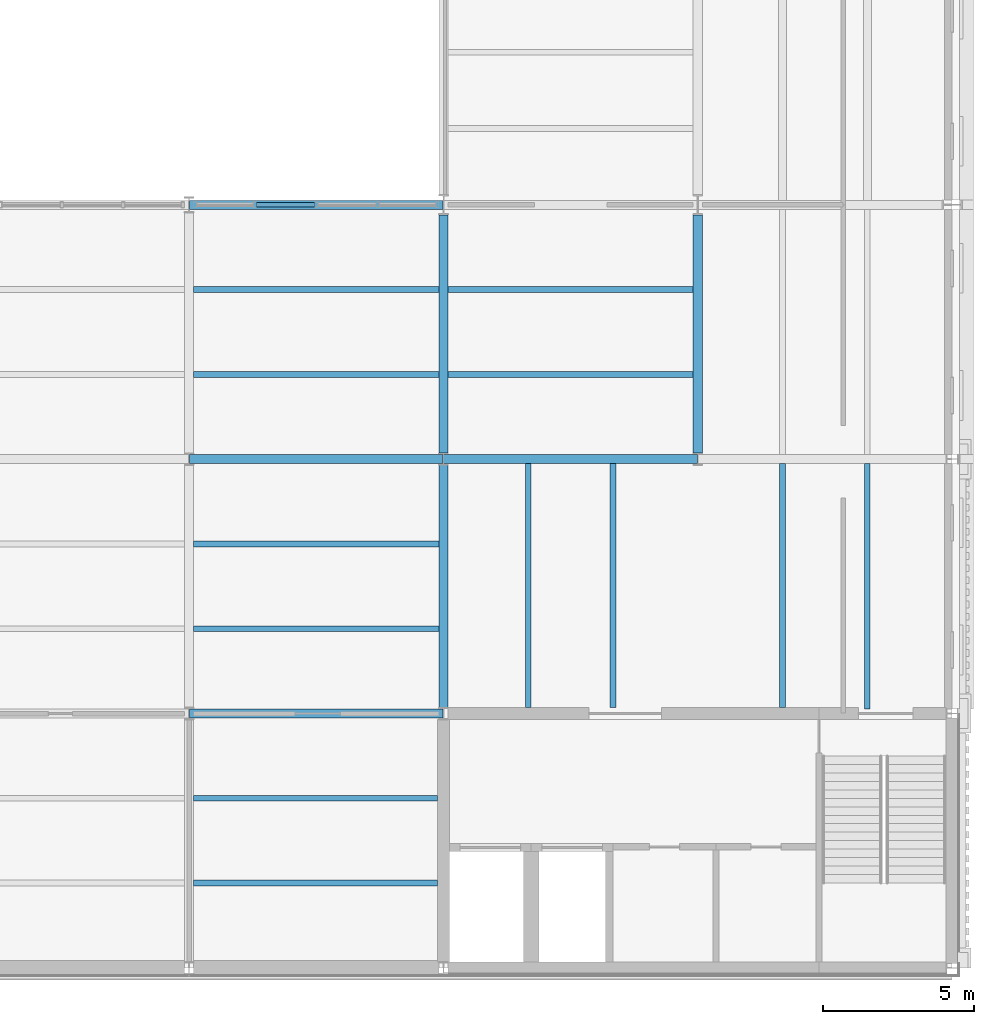
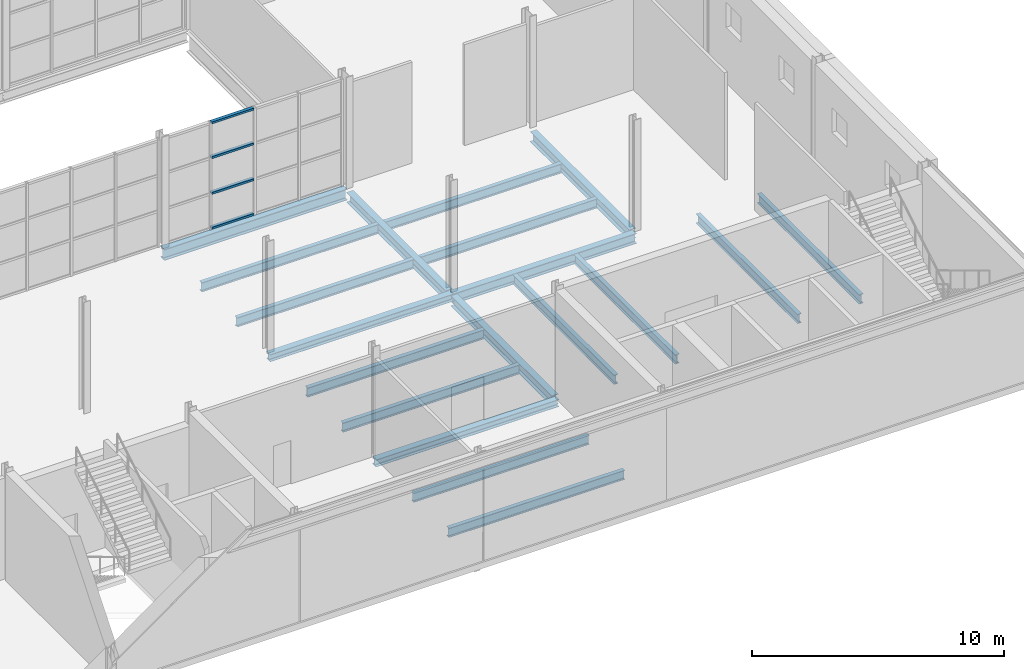
# One storey, part 19 of 57: 19 beams, 4 members, 1 element without a shape of its own.
"""IFC4 building model written with IfcOpenShell, lengths in metres."""

from ifc_helpers import new_model, si_unit, direction, frame, origin, origin_2d, place, context, subcontext, project, spatial, hollow_rectangle, i_section, extrude, material, layer, layer_set, material_profile, profile_set, type_object, element, aggregate, save


model = new_model("IFC4")

# Units and contexts
model_context = context("Model", 3, precision=1e-05, world=origin(), true_north=direction((0.0, 1.0)))
body_context = subcontext(model_context, "Body", "Model", "MODEL_VIEW")
ifc_project = project(units=[si_unit("LENGTHUNIT", "METRE"), si_unit("AREAUNIT", "SQUARE_METRE"), si_unit("VOLUMEUNIT", "CUBIC_METRE"), si_unit("PLANEANGLEUNIT", "RADIAN"), si_unit("MASSUNIT", "GRAM", prefix="KILO")], contexts=[model_context])

# Site, building, storey
site_placement = place(None, origin())
site = spatial("IfcSite", under=ifc_project, at=site_placement, CompositionType="ELEMENT")
building_placement = place(site_placement, origin())
building = spatial("IfcBuilding", under=site, at=building_placement, Name="Galleria Vessillo Department Store", CompositionType="ELEMENT")
storey_placement = place(building_placement, frame((0.0, 0.0, 25.800048828125)))
storey = spatial("IfcBuildingStorey", under=building, at=storey_placement, Name="L05", CompositionType="ELEMENT", Elevation=25.800048828125)

# Beams
ifc_material_1 = material(Name="Steel S355 J2", Category="steel")
ifc_material_profile_1 = material_profile(ifc_material_1, i_section(OverallWidth=0.300048828125, OverallDepth=0.489990234375, WebThickness=0.011962890625, FlangeThickness=0.02294921875, FilletRadius=0.027099609375, at=origin_2d()), Name="HEA 500")
ifc_profile_set_1 = profile_set([ifc_material_profile_1], Name="Steel S355 J2")
beam_type_1 = type_object("IfcBeamType", Name="Floor girder HEA 500", PredefinedType="BEAM", material=ifc_profile_set_1)
beam_1_placement = place(storey_placement, frame((100.806884765625, 16.800048828125, -0.39501953125), z_axis=(1.0, 0.0, 0.0), x_axis=(0.0, 1.0, 0.0)))
element("IfcBeam", 1, at=beam_1_placement, inside=storey, type_object=beam_type_1, Name="S-BM-L05-GI-x16800-100807", PredefinedType="BEAM", context=body_context, shape_type="SweptSolid", body=[
    extrude(i_section(OverallWidth=0.300048828125, OverallDepth=0.489990234375, WebThickness=0.011962890625, FlangeThickness=0.02294921875, FilletRadius=0.027099609375, at=origin_2d()), origin(), (0.0, 0.0, 1.0), 8.38623046875),
])
beam_2_placement = place(storey_placement, frame((100.800048828125, 8.60009765625, -0.39501953125), z_axis=(0.0, 1.0, 0.0), x_axis=(-1.0, 0.0, 0.0)))
element("IfcBeam", 2, at=beam_2_placement, inside=storey, type_object=beam_type_1, Name="S-BM-L05-GI-y100800-8600", PredefinedType="BEAM", context=body_context, shape_type="SweptSolid", body=[
    extrude(i_section(OverallWidth=0.300048828125, OverallDepth=0.489990234375, WebThickness=0.011962890625, FlangeThickness=0.02294921875, FilletRadius=0.027099609375, at=origin_2d()), origin(), (0.0, 0.0, 1.0), 7.999755859375),
])
for number, where, z_axis, x_axis, name in (
    (3, (100.800048828125, 17.000244140625, -0.39501953125), (0.0, 1.0, 0.0), (-1.0, 0.0, 0.0), "S-BM-L05-GI-y100800-17000"),
    (4, (109.199951171875, 17.000244140625, -0.39501953125), (0.0, 1.0, 0.0), (-1.0, 0.0, 0.0), "S-BM-L05-GI-y109200-17000"),
):
    element("IfcBeam", number, at=place(storey_placement, frame(where, z_axis=z_axis, x_axis=x_axis)), inside=storey, type_object=beam_type_1, Name=name, PredefinedType="BEAM", context=body_context, shape_type="SweptSolid", body=[
        extrude(i_section(OverallWidth=0.300048828125, OverallDepth=0.489990234375, WebThickness=0.011962890625, FlangeThickness=0.02294921875, FilletRadius=0.027099609375, at=origin_2d()), origin(), (0.0, 0.0, 1.0), 7.86572265625),
    ])
ifc_material_2 = material(Name="Steel S355 J2", Category="steel")
ifc_material_profile_2 = material_profile(ifc_material_2, i_section(OverallWidth=0.18994140625, OverallDepth=0.449951171875, WebThickness=0.009521484375, FlangeThickness=0.0146484375, FilletRadius=0.02099609375, at=origin_2d()), Name="IPE 450")
ifc_profile_set_2 = profile_set([ifc_material_profile_2], Name="Steel S355 J2")
beam_type_2 = type_object("IfcBeamType", Name="Floor joist IPE 450", PredefinedType="JOIST", material=ifc_profile_set_2)
for number, where, z_axis, x_axis, name in (
    (5, (92.550048828125, 2.800048828125, -0.375), (1.0, 0.0, 0.0), (0.0, 1.0, 0.0), "S-BM-L05-JO-x2800-92550"),
    (6, (92.550048828125, 5.60009765625, -0.375), (1.0, 0.0, 0.0), (0.0, 1.0, 0.0), "S-BM-L05-JO-x5600-92550"),
):
    element("IfcBeam", number, at=place(storey_placement, frame(where, z_axis=z_axis, x_axis=x_axis)), inside=storey, type_object=beam_type_2, Name=name, PredefinedType="JOIST", context=body_context, shape_type="SweptSolid", body=[
        extrude(i_section(OverallWidth=0.18994140625, OverallDepth=0.449951171875, WebThickness=0.009521484375, FlangeThickness=0.0146484375, FilletRadius=0.02099609375, at=origin_2d()), origin(), (0.0, 0.0, 1.0), 8.0498046875),
    ])
for number, where, z_axis, x_axis, name in (
    (7, (92.550048828125, 11.199951171875, -0.375), (1.0, 0.0, 0.0), (0.0, 1.0, 0.0), "S-BM-L05-JO-x11200-92550"),
    (8, (92.550048828125, 14.0, -0.375), (1.0, 0.0, 0.0), (0.0, 1.0, 0.0), "S-BM-L05-JO-x14000-92550"),
    (9, (92.550048828125, 19.60009765625, -0.375), (1.0, 0.0, 0.0), (0.0, 1.0, 0.0), "S-BM-L05-JO-x19600-92550"),
    (10, (92.550048828125, 22.39990234375, -0.375), (1.0, 0.0, 0.0), (0.0, 1.0, 0.0), "S-BM-L05-JO-x22400-92550"),
):
    element("IfcBeam", number, at=place(storey_placement, frame(where, z_axis=z_axis, x_axis=x_axis)), inside=storey, type_object=beam_type_2, Name=name, PredefinedType="JOIST", context=body_context, shape_type="SweptSolid", body=[
        extrude(i_section(OverallWidth=0.18994140625, OverallDepth=0.449951171875, WebThickness=0.009521484375, FlangeThickness=0.0146484375, FilletRadius=0.02099609375, at=origin_2d()), origin(), (0.0, 0.0, 1.0), 8.099853515625),
    ])
for number, where, z_axis, x_axis, name in (
    (11, (103.60009765625, 8.60009765625, -0.375), (0.0, 1.0, 0.0), (-1.0, 0.0, 0.0), "S-BM-L05-JO-y103600-8600"),
    (12, (106.39990234375, 8.60009765625, -0.375), (0.0, 1.0, 0.0), (-1.0, 0.0, 0.0), "S-BM-L05-JO-y106400-8600"),
):
    element("IfcBeam", number, at=place(storey_placement, frame(where, z_axis=z_axis, x_axis=x_axis)), inside=storey, type_object=beam_type_2, Name=name, PredefinedType="JOIST", context=body_context, shape_type="SweptSolid", body=[
        extrude(i_section(OverallWidth=0.18994140625, OverallDepth=0.449951171875, WebThickness=0.009521484375, FlangeThickness=0.0146484375, FilletRadius=0.02099609375, at=origin_2d()), origin(), (0.0, 0.0, 1.0), 8.0498046875),
    ])
for number, where, z_axis, x_axis, name in (
    (13, (100.9501953125, 19.60009765625, -0.375), (1.0, 0.0, 0.0), (0.0, 1.0, 0.0), "S-BM-L05-JO-x19600-100950"),
    (14, (100.9501953125, 22.39990234375, -0.375), (1.0, 0.0, 0.0), (0.0, 1.0, 0.0), "S-BM-L05-JO-x22400-100950"),
):
    element("IfcBeam", number, at=place(storey_placement, frame(where, z_axis=z_axis, x_axis=x_axis)), inside=storey, type_object=beam_type_2, Name=name, PredefinedType="JOIST", context=body_context, shape_type="SweptSolid", body=[
        extrude(i_section(OverallWidth=0.18994140625, OverallDepth=0.449951171875, WebThickness=0.009521484375, FlangeThickness=0.0146484375, FilletRadius=0.02099609375, at=origin_2d()), origin(), (0.0, 0.0, 1.0), 8.099609375),
    ])
beam_3_placement = place(storey_placement, frame((112.0, 8.60009765625, -0.375), z_axis=(0.0, 1.0, 0.0), x_axis=(-1.0, 0.0, 0.0)))
element("IfcBeam", 15, at=beam_3_placement, inside=storey, type_object=beam_type_2, Name="S-BM-L05-JO-y112000-8600", PredefinedType="JOIST", context=body_context, shape_type="SweptSolid", body=[
    extrude(i_section(OverallWidth=0.18994140625, OverallDepth=0.449951171875, WebThickness=0.009521484375, FlangeThickness=0.0146484375, FilletRadius=0.02099609375, at=origin_2d()), origin(), (0.0, 0.0, 1.0), 8.0498046875),
])
beam_4_placement = place(storey_placement, frame((114.800048828125, 8.550048828125, -0.375), z_axis=(0.0, 1.0, 0.0), x_axis=(-1.0, 0.0, 0.0)))
element("IfcBeam", 16, at=beam_4_placement, inside=storey, type_object=beam_type_2, Name="S-BM-L05-JO-y114800-8550", PredefinedType="JOIST", context=body_context, shape_type="SweptSolid", body=[
    extrude(i_section(OverallWidth=0.18994140625, OverallDepth=0.449951171875, WebThickness=0.009521484375, FlangeThickness=0.0146484375, FilletRadius=0.02099609375, at=origin_2d()), origin(), (0.0, 0.0, 1.0), 8.099853515625),
])
ifc_material_3 = material(Name="Steel S355 J2", Category="steel")
ifc_material_profile_3 = material_profile(ifc_material_3, i_section(OverallWidth=0.300048828125, OverallDepth=0.35009765625, WebThickness=0.010009765625, FlangeThickness=0.017578125, FilletRadius=0.027099609375, at=origin_2d()), Name="HEA 360")
ifc_profile_set_3 = profile_set([ifc_material_profile_3], Name="Steel S355 J2")
beam_type_3 = type_object("IfcBeamType", Name="Floor tie girder HEA 360", PredefinedType="BEAM", material=ifc_profile_set_3)
for number, where, z_axis, x_axis, name in (
    (17, (92.406982421875, 8.39990234375, -0.324951171875), (1.0, 0.0, 0.0), (0.0, 1.0, 0.0), "S-BM-L05-TI-x8400-92407"),
    (18, (92.406982421875, 16.800048828125, -0.324951171875), (1.0, 0.0, 0.0), (0.0, 1.0, 0.0), "S-BM-L05-TI-x16800-92407"),
):
    element("IfcBeam", number, at=place(storey_placement, frame(where, z_axis=z_axis, x_axis=x_axis)), inside=storey, type_object=beam_type_3, Name=name, PredefinedType="BEAM", context=body_context, shape_type="SweptSolid", body=[
        extrude(i_section(OverallWidth=0.300048828125, OverallDepth=0.35009765625, WebThickness=0.010009765625, FlangeThickness=0.017578125, FilletRadius=0.027099609375, at=origin_2d()), origin(), (0.0, 0.0, 1.0), 8.38623046875),
    ])

# Curtain wall, members
ifc_material_4 = material(Name="Steel and fire-resisting glass curtain wall", Category="steel")
ifc_layer = layer(ifc_material_4, 0.199951171875)
ifc_layer_set = layer_set([ifc_layer], Name="Steel and fire-resisting glass curtain wall")
curtain_wall_type = type_object("IfcCurtainWallType", Name="Arcade fire-resisting glazed shopfront EI 120-Sa", PredefinedType="NOTDEFINED", material=ifc_layer_set)
curtain_wall_placement = place(storey_placement, origin())
curtain_wall = element("IfcCurtainWall", 19, at=curtain_wall_placement, inside=storey, type_object=curtain_wall_type, Name="Arcade fire-resisting glazed shopfront EI 120-Sa AI-AE-S-L05-02", PredefinedType="NOTDEFINED")
ifc_material_5 = material(Name="Steel S355 J2", Category="steel")
ifc_material_profile_4 = material_profile(ifc_material_5, hollow_rectangle(XDim=0.14990234375, YDim=0.10009765625, WallThickness=0.008056640625, at=origin_2d()), Name="RHS 150x100x8")
ifc_profile_set_4 = profile_set([ifc_material_profile_4], Name="Steel S355 J2")
member_type = type_object("IfcMemberType", Name="Steel transom RHS 150x100x8", PredefinedType="USERDEFINED", material=ifc_profile_set_4)
member_1_placement = place(storey_placement, frame((94.626708984375, 25.199951171875, 0.050048828125), z_axis=(1.0, 0.0, 0.0), x_axis=(0.0, 1.0, 0.0)))
member_1 = element("IfcMember", 20, at=member_1_placement, type_object=member_type, Name="CW7 transom 2.1", ObjectType="TRANSOM", PredefinedType="USERDEFINED", context=body_context, shape_type="SweptSolid", body=[
    extrude(hollow_rectangle(XDim=0.14990234375, YDim=0.10009765625, WallThickness=0.008056640625, at=origin_2d()), origin(), (0.0, 0.0, 1.0), 1.923583984375),
])
member_2_placement = place(storey_placement, frame((94.626708984375, 25.199951171875, 1.7333984375), z_axis=(1.0, 0.0, 0.0), x_axis=(0.0, 1.0, 0.0)))
member_2 = element("IfcMember", 21, at=member_2_placement, type_object=member_type, Name="CW7 transom 2.2", ObjectType="TRANSOM", PredefinedType="USERDEFINED", context=body_context, shape_type="SweptSolid", body=[
    extrude(hollow_rectangle(XDim=0.14990234375, YDim=0.10009765625, WallThickness=0.008056640625, at=origin_2d()), origin(), (0.0, 0.0, 1.0), 1.923583984375),
])
member_3_placement = place(storey_placement, frame((94.626708984375, 25.199951171875, 3.466552734375), z_axis=(1.0, 0.0, 0.0), x_axis=(0.0, 1.0, 0.0)))
member_3 = element("IfcMember", 22, at=member_3_placement, type_object=member_type, Name="CW7 transom 2.3", ObjectType="TRANSOM", PredefinedType="USERDEFINED", context=body_context, shape_type="SweptSolid", body=[
    extrude(hollow_rectangle(XDim=0.14990234375, YDim=0.10009765625, WallThickness=0.008056640625, at=origin_2d()), origin(), (0.0, 0.0, 1.0), 1.923583984375),
])
member_4_placement = place(storey_placement, frame((94.626708984375, 25.199951171875, 5.14990234375), z_axis=(1.0, 0.0, 0.0), x_axis=(0.0, 1.0, 0.0)))
member_4 = element("IfcMember", 23, at=member_4_placement, type_object=member_type, Name="CW7 transom 2.4", ObjectType="TRANSOM", PredefinedType="USERDEFINED", context=body_context, shape_type="SweptSolid", body=[
    extrude(hollow_rectangle(XDim=0.14990234375, YDim=0.10009765625, WallThickness=0.008056640625, at=origin_2d()), origin(), (0.0, 0.0, 1.0), 1.923583984375),
])
aggregate(curtain_wall, [member_1, member_2, member_3, member_4])

# Beam
ifc_material_6 = material(Name="Steel S355 J2", Category="steel")
ifc_material_profile_5 = material_profile(ifc_material_6, i_section(OverallWidth=0.300048828125, OverallDepth=0.5400390625, WebThickness=0.012451171875, FlangeThickness=0.02392578125, FilletRadius=0.027099609375, at=origin_2d()), Name="HEA 550")
ifc_profile_set_5 = profile_set([ifc_material_profile_5], Name="Steel S355 J2")
beam_type_4 = type_object("IfcBeamType", Name="Trimmer beam HEA 550", PredefinedType="BEAM", material=ifc_profile_set_5)
beam_5_placement = place(storey_placement, frame((92.41064453125, 25.199951171875, -0.419921875), z_axis=(1.0, 0.0, 0.0), x_axis=(0.0, 1.0, 0.0)))
element("IfcBeam", 24, at=beam_5_placement, inside=storey, type_object=beam_type_4, Name="S-BM-L05-TR-x25200-92411", PredefinedType="BEAM", context=body_context, shape_type="SweptSolid", body=[
    extrude(i_section(OverallWidth=0.300048828125, OverallDepth=0.5400390625, WebThickness=0.012451171875, FlangeThickness=0.02392578125, FilletRadius=0.027099609375, at=origin_2d()), origin(), (0.0, 0.0, 1.0), 8.378662109375),
])

save(model, "model.ifc")
